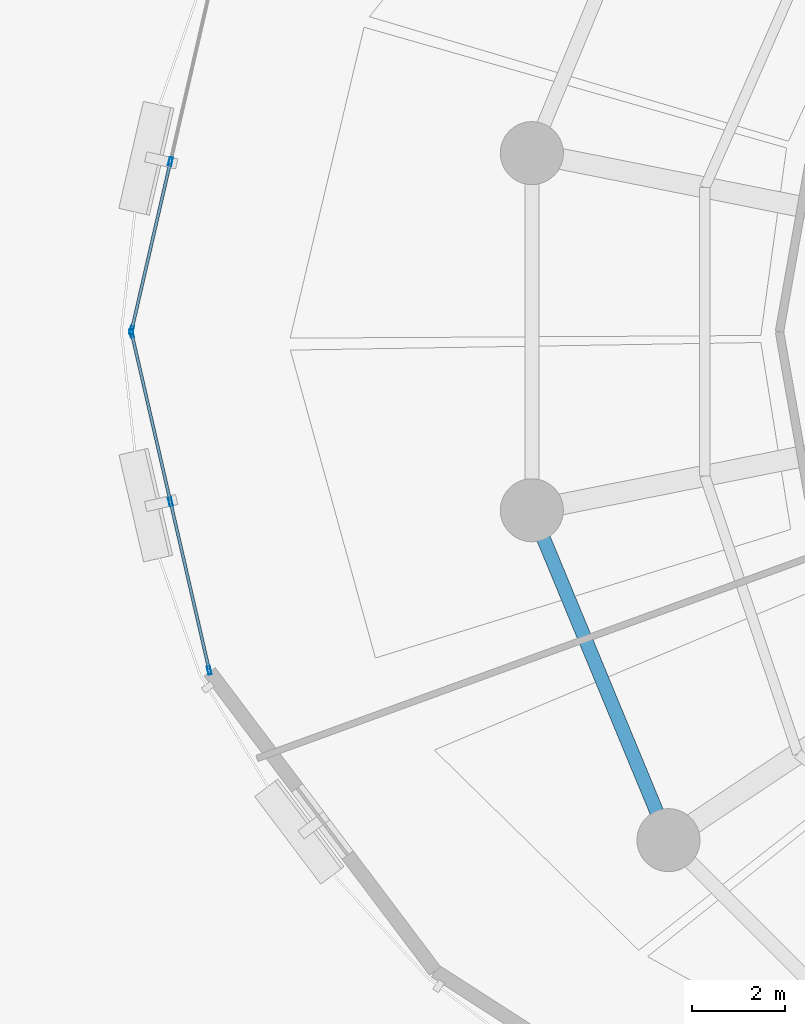
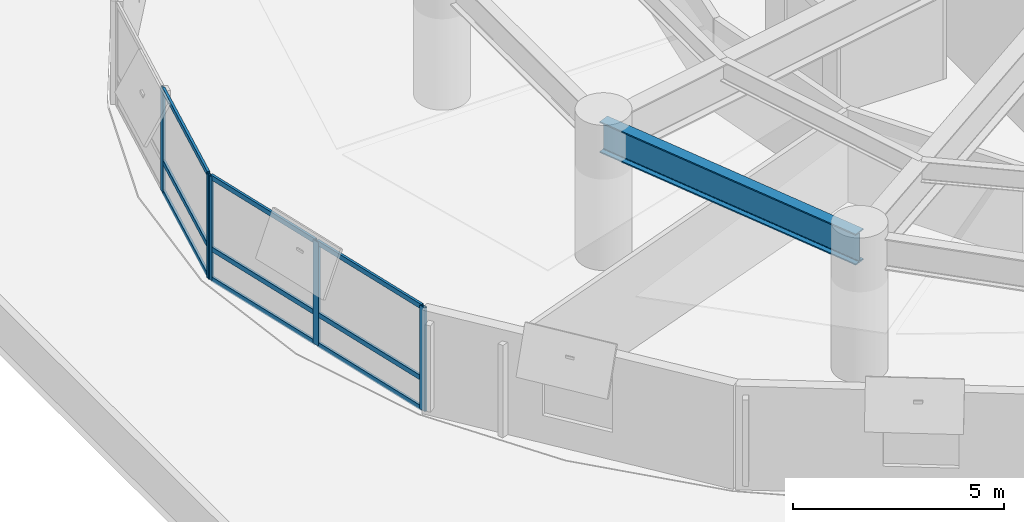
# One storey, part 2 of 15: 14 members, 1 beam, 2 elements without a shape of their own.
"""IFC4 building model written with IfcOpenShell, lengths in metres."""

from ifc_helpers import new_model, si_unit, direction, frame, origin, origin_2d, place, context, subcontext, project, spatial, hollow_rectangle, i_section, extrude, material, layer, layer_set, material_profile, profile_set, type_object, element, aggregate, save


model = new_model("IFC4")

# Units and contexts
model_context = context("Model", 3, precision=1e-05, world=origin(), true_north=direction((0.0, 1.0)))
body_context = subcontext(model_context, "Body", "Model", "MODEL_VIEW")
ifc_project = project(units=[si_unit("LENGTHUNIT", "METRE"), si_unit("AREAUNIT", "SQUARE_METRE"), si_unit("VOLUMEUNIT", "CUBIC_METRE"), si_unit("PLANEANGLEUNIT", "RADIAN"), si_unit("MASSUNIT", "GRAM", prefix="KILO"), si_unit("THERMODYNAMICTEMPERATUREUNIT", "KELVIN"), si_unit("POWERUNIT", "WATT")], contexts=[model_context])

# Site, building, storey
site_placement = place(None, origin())
site = spatial("IfcSite", under=ifc_project, at=site_placement, CompositionType="ELEMENT")
building_placement = place(site_placement, origin())
building = spatial("IfcBuilding", under=site, at=building_placement, Name="Ocrelia Relay Tower", CompositionType="ELEMENT")
storey_placement = place(building_placement, frame((0.0, 0.0, 30.0)))
storey = spatial("IfcBuildingStorey", under=building, at=storey_placement, Name="L06", CompositionType="ELEMENT", Elevation=30.0)

# Beam
ifc_material_1 = material(Name="Steel S355", Category="steel")
ifc_material_profile_1 = material_profile(ifc_material_1, i_section(OverallWidth=0.300048828125, OverallDepth=0.89990234375, WebThickness=0.0185546875, FlangeThickness=0.034912109375, FilletRadius=0.030029296875, at=origin_2d()), Name="HEB 900")
ifc_profile_set_1 = profile_set([ifc_material_profile_1], Name="Steel S355")
beam_type = type_object("IfcBeamType", Name="BM-HEB900", PredefinedType="BEAM", material=ifc_profile_set_1)
beam_placement = place(storey_placement, frame((14.776611328125, 22.17626953125, 3.469970703125), z_axis=(0.382674154222, -0.923883375589, 0.0), x_axis=(0.923883375589, 0.382674154222, 0.0)))
element("IfcBeam", 1, at=beam_placement, inside=storey, type_object=beam_type, Name="L06 Perimeter Spandrel Beam S09", PredefinedType="BEAM", context=body_context, shape_type="SweptSolid", body=[
    extrude(i_section(OverallWidth=0.300048828125, OverallDepth=0.89990234375, WebThickness=0.0185546875, FlangeThickness=0.034912109375, FilletRadius=0.030029296875, at=origin_2d()), origin(), (0.0, 0.0, 1.0), 7.6474609375),
])

# Curtain wall, members
ifc_material_2 = material(Name="Aluminium and solar-control low-E glass", Category="aluminium")
ifc_layer = layer(ifc_material_2, 0.179931640625, Name="Aluminium and solar-control low-E glass")
ifc_layer_set = layer_set([ifc_layer], Name="Aluminium and solar-control low-E glass")
curtain_wall_type = type_object("IfcCurtainWallType", Name="CW-SYS-Z1-DATA", PredefinedType="NOTDEFINED", material=ifc_layer_set)
curtain_wall_1_placement = place(storey_placement, origin())
curtain_wall_1 = element("IfcCurtainWall", 2, at=curtain_wall_1_placement, inside=storey, type_object=curtain_wall_type, Name="L06 Elliptical Tower Curtain Wall Bay 09", PredefinedType="NOTDEFINED")
ifc_material_3 = material(Name="Anodised bronze aluminium", Category="aluminium")
ifc_material_profile_2 = material_profile(ifc_material_3, hollow_rectangle(XDim=0.070068359375, YDim=0.179931640625, WallThickness=0.006103515625, at=origin_2d()), Name="CW-MUL-180x70")
ifc_profile_set_2 = profile_set([ifc_material_profile_2], Name="Anodised bronze aluminium")
member_type_1 = type_object("IfcMemberType", Name="CW-SYS-Z1-DATA-MUL", PredefinedType="MULLION", material=ifc_profile_set_2)
member_1_placement = place(storey_placement, frame((7.038330078125, 29.642578125, 0.0), z_axis=(0.0, 0.0, 1.0), x_axis=(0.974527418542, -0.224268389459, 0.0)))
member_1 = element("IfcMember", 3, at=member_1_placement, type_object=member_type_1, Name="CW-Z1 mullion 2", PredefinedType="MULLION", context=body_context, shape_type="SweptSolid", body=[
    extrude(hollow_rectangle(XDim=0.070068359375, YDim=0.179931640625, WallThickness=0.006103515625, at=origin_2d()), origin(), (0.0, 0.0, 1.0), 3.0),
])
member_2_placement = place(storey_placement, frame((6.207763671875, 26.0341796875, 0.0), z_axis=(0.0, 0.0, 1.0), x_axis=(0.974527418542, -0.224268389459, 0.0)))
member_2 = element("IfcMember", 4, at=member_2_placement, type_object=member_type_1, Name="CW-Z1 mullion 3", PredefinedType="MULLION", context=body_context, shape_type="SweptSolid", body=[
    extrude(hollow_rectangle(XDim=0.070068359375, YDim=0.179931640625, WallThickness=0.006103515625, at=origin_2d()), origin(), (0.0, 0.0, 1.0), 3.0),
])

curtain_wall_2_placement = place(storey_placement, origin())
curtain_wall_2 = element("IfcCurtainWall", 5, at=curtain_wall_2_placement, inside=storey, type_object=curtain_wall_type, Name="L06 Elliptical Tower Curtain Wall Bay 10", PredefinedType="NOTDEFINED")
member_3_placement = place(storey_placement, frame((6.207763671875, 25.9658203125, 0.0), z_axis=(0.0, 0.0, 1.0), x_axis=(0.974527418542, 0.224268389459, 0.0)))
member_3 = element("IfcMember", 6, at=member_3_placement, type_object=member_type_1, Name="CW-Z1 mullion 1", PredefinedType="MULLION", context=body_context, shape_type="SweptSolid", body=[
    extrude(hollow_rectangle(XDim=0.070068359375, YDim=0.179931640625, WallThickness=0.006103515625, at=origin_2d()), origin(), (0.0, 0.0, 1.0), 3.0),
])
member_4_placement = place(storey_placement, frame((7.038330078125, 22.357421875, 0.0), z_axis=(0.0, 0.0, 1.0), x_axis=(0.974527418542, 0.224268389459, 0.0)))
member_4 = element("IfcMember", 7, at=member_4_placement, type_object=member_type_1, Name="CW-Z1 mullion 2", PredefinedType="MULLION", context=body_context, shape_type="SweptSolid", body=[
    extrude(hollow_rectangle(XDim=0.070068359375, YDim=0.179931640625, WallThickness=0.006103515625, at=origin_2d()), origin(), (0.0, 0.0, 1.0), 3.0),
])
member_5_placement = place(storey_placement, frame((7.86865234375, 18.7490234375, 0.0), z_axis=(0.0, 0.0, 1.0), x_axis=(0.974527418542, 0.224268389459, 0.0)))
member_5 = element("IfcMember", 8, at=member_5_placement, type_object=member_type_1, Name="CW-Z1 mullion 3", PredefinedType="MULLION", context=body_context, shape_type="SweptSolid", body=[
    extrude(hollow_rectangle(XDim=0.070068359375, YDim=0.179931640625, WallThickness=0.006103515625, at=origin_2d()), origin(), (0.0, 0.0, 1.0), 3.0),
])

# Member
ifc_material_profile_3 = material_profile(ifc_material_3, hollow_rectangle(XDim=0.06494140625, YDim=0.139892578125, WallThickness=0.0048828125, at=origin_2d()), Name="CW-TRN-140x65")
ifc_profile_set_3 = profile_set([ifc_material_profile_3], Name="Anodised bronze aluminium")
member_type_2 = type_object("IfcMemberType", Name="CW-SYS-Z1-DATA-TRN", PredefinedType="USERDEFINED", material=ifc_profile_set_3)
member_6_placement = place(storey_placement, frame((7.030517578125, 29.6083984375, 0.032470703125), z_axis=(-0.224260666596, -0.974529195775, 0.0), x_axis=(0.974529195775, -0.224260666596, 0.0)))
member_6 = element("IfcMember", 9, at=member_6_placement, type_object=member_type_2, Name="CW-Z1 transom 2.1", ObjectType="TRANSOM", PredefinedType="USERDEFINED", context=body_context, shape_type="SweptSolid", body=[
    extrude(hollow_rectangle(XDim=0.06494140625, YDim=0.139892578125, WallThickness=0.0048828125, at=origin_2d()), origin(), (0.0, 0.0, 1.0), 3.6328125),
])

member_7_placement = place(storey_placement, frame((7.030517578125, 29.6083984375, 0.89990234375), z_axis=(-0.224260666596, -0.974529195775, 0.0), x_axis=(0.974529195775, -0.224260666596, 0.0)))
member_7 = element("IfcMember", 10, at=member_7_placement, type_object=member_type_2, Name="CW-Z1 transom 2.2", ObjectType="TRANSOM", PredefinedType="USERDEFINED", context=body_context, shape_type="SweptSolid", body=[
    extrude(hollow_rectangle(XDim=0.06494140625, YDim=0.139892578125, WallThickness=0.0048828125, at=origin_2d()), origin(), (0.0, 0.0, 1.0), 3.6328125),
])

member_8_placement = place(storey_placement, frame((7.030517578125, 29.6083984375, 2.967529296875), z_axis=(-0.224260666596, -0.974529195775, 0.0), x_axis=(0.974529195775, -0.224260666596, 0.0)))
member_8 = element("IfcMember", 11, at=member_8_placement, type_object=member_type_2, Name="CW-Z1 transom 2.3", ObjectType="TRANSOM", PredefinedType="USERDEFINED", context=body_context, shape_type="SweptSolid", body=[
    extrude(hollow_rectangle(XDim=0.06494140625, YDim=0.139892578125, WallThickness=0.0048828125, at=origin_2d()), origin(), (0.0, 0.0, 1.0), 3.6328125),
])

aggregate(curtain_wall_1, [member_1, member_2, member_6, member_7, member_8])

member_9_placement = place(storey_placement, frame((6.2158203125, 25.931884765625, 0.032470703125), z_axis=(0.224260666596, -0.974529195775, 0.0), x_axis=(0.974529195775, 0.224260666596, 0.0)))
member_9 = element("IfcMember", 12, at=member_9_placement, type_object=member_type_2, Name="CW-Z1 transom 1.1", ObjectType="TRANSOM", PredefinedType="USERDEFINED", context=body_context, shape_type="SweptSolid", body=[
    extrude(hollow_rectangle(XDim=0.06494140625, YDim=0.139892578125, WallThickness=0.0048828125, at=origin_2d()), origin(), (0.0, 0.0, 1.0), 3.6328125),
])

member_10_placement = place(storey_placement, frame((6.2158203125, 25.931884765625, 0.89990234375), z_axis=(0.224260666596, -0.974529195775, 0.0), x_axis=(0.974529195775, 0.224260666596, 0.0)))
member_10 = element("IfcMember", 13, at=member_10_placement, type_object=member_type_2, Name="CW-Z1 transom 1.2", ObjectType="TRANSOM", PredefinedType="USERDEFINED", context=body_context, shape_type="SweptSolid", body=[
    extrude(hollow_rectangle(XDim=0.06494140625, YDim=0.139892578125, WallThickness=0.0048828125, at=origin_2d()), origin(), (0.0, 0.0, 1.0), 3.6328125),
])

member_11_placement = place(storey_placement, frame((6.2158203125, 25.931884765625, 2.967529296875), z_axis=(0.224260666596, -0.974529195775, 0.0), x_axis=(0.974529195775, 0.224260666596, 0.0)))
member_11 = element("IfcMember", 14, at=member_11_placement, type_object=member_type_2, Name="CW-Z1 transom 1.3", ObjectType="TRANSOM", PredefinedType="USERDEFINED", context=body_context, shape_type="SweptSolid", body=[
    extrude(hollow_rectangle(XDim=0.06494140625, YDim=0.139892578125, WallThickness=0.0048828125, at=origin_2d()), origin(), (0.0, 0.0, 1.0), 3.6328125),
])

member_12_placement = place(storey_placement, frame((7.046142578125, 22.323486328125, 0.032470703125), z_axis=(0.224260666596, -0.974529195775, 0.0), x_axis=(0.974529195775, 0.224260666596, 0.0)))
member_12 = element("IfcMember", 15, at=member_12_placement, type_object=member_type_2, Name="CW-Z1 transom 2.1", ObjectType="TRANSOM", PredefinedType="USERDEFINED", context=body_context, shape_type="SweptSolid", body=[
    extrude(hollow_rectangle(XDim=0.06494140625, YDim=0.139892578125, WallThickness=0.0048828125, at=origin_2d()), origin(), (0.0, 0.0, 1.0), 3.6328125),
])

member_13_placement = place(storey_placement, frame((7.046142578125, 22.323486328125, 0.89990234375), z_axis=(0.224260666596, -0.974529195775, 0.0), x_axis=(0.974529195775, 0.224260666596, 0.0)))
member_13 = element("IfcMember", 16, at=member_13_placement, type_object=member_type_2, Name="CW-Z1 transom 2.2", ObjectType="TRANSOM", PredefinedType="USERDEFINED", context=body_context, shape_type="SweptSolid", body=[
    extrude(hollow_rectangle(XDim=0.06494140625, YDim=0.139892578125, WallThickness=0.0048828125, at=origin_2d()), origin(), (0.0, 0.0, 1.0), 3.6328125),
])

member_14_placement = place(storey_placement, frame((7.046142578125, 22.323486328125, 2.967529296875), z_axis=(0.224260666596, -0.974529195775, 0.0), x_axis=(0.974529195775, 0.224260666596, 0.0)))
member_14 = element("IfcMember", 17, at=member_14_placement, type_object=member_type_2, Name="CW-Z1 transom 2.3", ObjectType="TRANSOM", PredefinedType="USERDEFINED", context=body_context, shape_type="SweptSolid", body=[
    extrude(hollow_rectangle(XDim=0.06494140625, YDim=0.139892578125, WallThickness=0.0048828125, at=origin_2d()), origin(), (0.0, 0.0, 1.0), 3.6328125),
])

aggregate(curtain_wall_2, [member_3, member_4, member_5, member_9, member_10, member_11, member_12, member_13, member_14])

save(model, "model.ifc")
